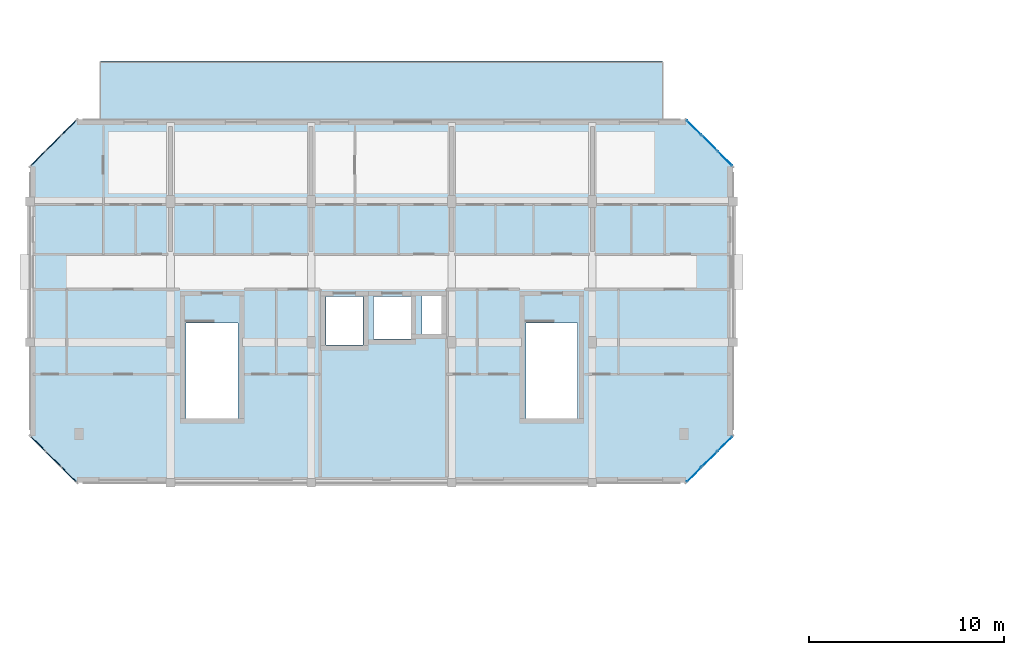
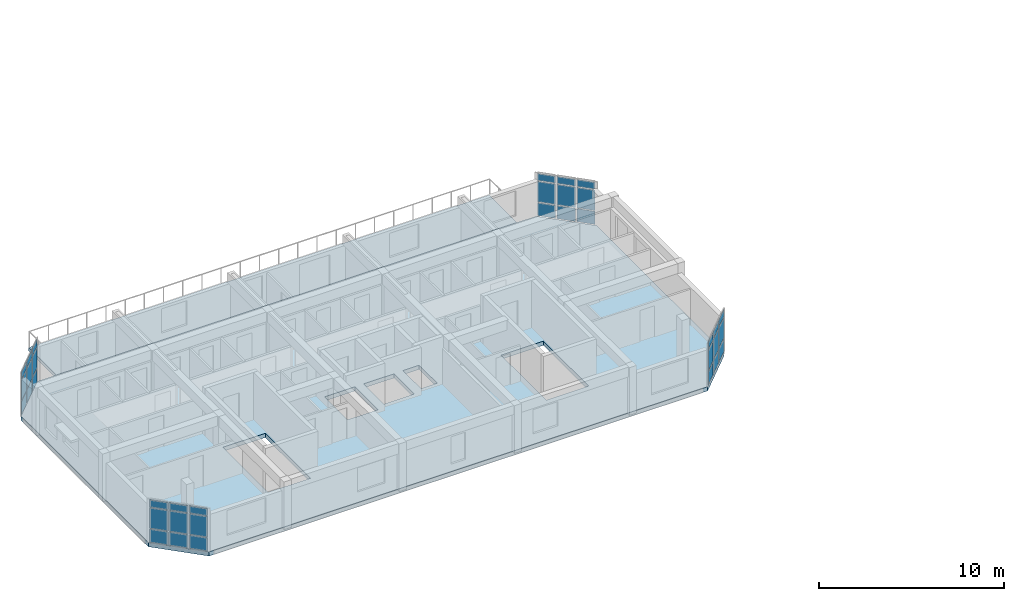
# One storey, part 9 of 30: 36 plates, 2 slabs, 4 elements without a shape of their own.
"""IFC4 building model written with IfcOpenShell, lengths in metres."""

from ifc_helpers import new_model, si_unit, direction, frame, origin, origin_2d, place, context, subcontext, project, spatial, polyline, rectangle, outline, extrude, material, layer, layer_set, type_object, element, aggregate, save


model = new_model("IFC4")

# Units and contexts
model_context = context("Model", 3, precision=1e-05, world=origin(), true_north=direction((0.0, 1.0)))
body_context = subcontext(model_context, "Body", "Model", "MODEL_VIEW")
ifc_project = project(units=[si_unit("LENGTHUNIT", "METRE"), si_unit("AREAUNIT", "SQUARE_METRE"), si_unit("VOLUMEUNIT", "CUBIC_METRE"), si_unit("PLANEANGLEUNIT", "RADIAN"), si_unit("MASSUNIT", "GRAM", prefix="KILO")], contexts=[model_context])

# Site, building, storey
site_placement = place(None, origin())
site = spatial("IfcSite", under=ifc_project, at=site_placement, CompositionType="ELEMENT")
building_placement = place(site_placement, origin())
building = spatial("IfcBuilding", under=site, at=building_placement, Name="Ochrevale Crest", CompositionType="ELEMENT")
storey_placement = place(building_placement, frame((0.0, 0.0, 33.89990234375)))
storey = spatial("IfcBuildingStorey", under=building, at=storey_placement, Name="L10", CompositionType="ELEMENT", Elevation=33.89990234375)

# Curtain wall, plates
ifc_material_1 = material(Name="Anodised aluminium 6063-T5", Category="aluminium")
ifc_layer_1 = layer(ifc_material_1, 0.14990234375)
ifc_layer_set_1 = layer_set([ifc_layer_1], Name="Anodised aluminium 6063-T5")
curtain_wall_type_1 = type_object("IfcCurtainWallType", Name="CW-WG-320x285", PredefinedType="NOTDEFINED", material=ifc_layer_set_1)
curtain_wall_1_placement = place(storey_placement, origin())
curtain_wall_1 = element("IfcCurtainWall", 1, at=curtain_wall_1_placement, inside=storey, type_object=curtain_wall_type_1, Name="Block B L10 chamfered corner wintergarden curtain wall 2", PredefinedType="NOTDEFINED")
ifc_material_2 = material(Name="Double-glazed low-E insulated glass unit", Category="glass")
ifc_layer_2 = layer(ifc_material_2, 0.028076171875)
ifc_layer_set_2 = layer_set([ifc_layer_2], Name="Double-glazed low-E insulated glass unit")
plate_type_1 = type_object("IfcPlateType", Name="CW-PNL-IGU28", PredefinedType="CURTAIN_PANEL", material=ifc_layer_set_2)
plate_1_placement = place(storey_placement, frame((34.01318359375, 72.413330078125, 0.06005859375), z_axis=(0.0, 0.0, 1.0), x_axis=(0.707106781187, 0.707106781187, 0.0)))
plate_1 = element("IfcPlate", 2, at=plate_1_placement, type_object=plate_type_1, Name="CW17 panel 1.1", PredefinedType="CURTAIN_PANEL", context=body_context, shape_type="SweptSolid", body=[
    extrude(rectangle(XDim=1.018798828125, YDim=0.028076171875, at=origin_2d()), origin(), (0.0, 0.0, 1.0), 0.860107421875),
])
plate_2_placement = place(storey_placement, frame((34.01318359375, 72.413330078125, 0.97998046875), z_axis=(0.0, 0.0, 1.0), x_axis=(0.707106781187, 0.707106781187, 0.0)))
plate_2 = element("IfcPlate", 3, at=plate_2_placement, type_object=plate_type_1, Name="CW17 panel 1.2", PredefinedType="CURTAIN_PANEL", context=body_context, shape_type="SweptSolid", body=[
    extrude(rectangle(XDim=1.018798828125, YDim=0.028076171875, at=origin_2d()), origin(), (0.0, 0.0, 1.0), 1.35009765625),
])
plate_3_placement = place(storey_placement, frame((34.01318359375, 72.413330078125, 2.39013671875), z_axis=(0.0, 0.0, 1.0), x_axis=(0.707106781187, 0.707106781187, 0.0)))
plate_3 = element("IfcPlate", 4, at=plate_3_placement, type_object=plate_type_1, Name="CW17 panel 1.3", PredefinedType="CURTAIN_PANEL", context=body_context, shape_type="SweptSolid", body=[
    extrude(rectangle(XDim=1.018798828125, YDim=0.028076171875, at=origin_2d()), origin(), (0.0, 0.0, 1.0), 0.4599609375),
])
plate_4_placement = place(storey_placement, frame((34.800048828125, 73.199951171875, 0.06005859375), z_axis=(0.0, 0.0, 1.0), x_axis=(0.707106781187, 0.707106781187, 0.0)))
plate_4 = element("IfcPlate", 5, at=plate_4_placement, type_object=plate_type_1, Name="CW17 panel 2.1", PredefinedType="CURTAIN_PANEL", context=body_context, shape_type="SweptSolid", body=[
    extrude(rectangle(XDim=1.056396484375, YDim=0.028076171875, at=origin_2d()), origin(), (0.0, 0.0, 1.0), 0.860107421875),
])
plate_5_placement = place(storey_placement, frame((34.800048828125, 73.199951171875, 0.97998046875), z_axis=(0.0, 0.0, 1.0), x_axis=(0.707106781187, 0.707106781187, 0.0)))
plate_5 = element("IfcPlate", 6, at=plate_5_placement, type_object=plate_type_1, Name="CW17 panel 2.2", PredefinedType="CURTAIN_PANEL", context=body_context, shape_type="SweptSolid", body=[
    extrude(rectangle(XDim=1.056396484375, YDim=0.028076171875, at=origin_2d()), origin(), (0.0, 0.0, 1.0), 1.35009765625),
])
plate_6_placement = place(storey_placement, frame((34.800048828125, 73.199951171875, 2.39013671875), z_axis=(0.0, 0.0, 1.0), x_axis=(0.707106781187, 0.707106781187, 0.0)))
plate_6 = element("IfcPlate", 7, at=plate_6_placement, type_object=plate_type_1, Name="CW17 panel 2.3", PredefinedType="CURTAIN_PANEL", context=body_context, shape_type="SweptSolid", body=[
    extrude(rectangle(XDim=1.056396484375, YDim=0.028076171875, at=origin_2d()), origin(), (0.0, 0.0, 1.0), 0.4599609375),
])
plate_7_placement = place(storey_placement, frame((35.586669921875, 73.98681640625, 0.06005859375), z_axis=(0.0, 0.0, 1.0), x_axis=(0.707106781187, 0.707106781187, 0.0)))
plate_7 = element("IfcPlate", 8, at=plate_7_placement, type_object=plate_type_1, Name="CW17 panel 3.1", PredefinedType="CURTAIN_PANEL", context=body_context, shape_type="SweptSolid", body=[
    extrude(rectangle(XDim=1.018798828125, YDim=0.028076171875, at=origin_2d()), origin(), (0.0, 0.0, 1.0), 0.860107421875),
])
plate_8_placement = place(storey_placement, frame((35.586669921875, 73.98681640625, 0.97998046875), z_axis=(0.0, 0.0, 1.0), x_axis=(0.707106781187, 0.707106781187, 0.0)))
plate_8 = element("IfcPlate", 9, at=plate_8_placement, type_object=plate_type_1, Name="CW17 panel 3.2", PredefinedType="CURTAIN_PANEL", context=body_context, shape_type="SweptSolid", body=[
    extrude(rectangle(XDim=1.018798828125, YDim=0.028076171875, at=origin_2d()), origin(), (0.0, 0.0, 1.0), 1.35009765625),
])
plate_9_placement = place(storey_placement, frame((35.586669921875, 73.98681640625, 2.39013671875), z_axis=(0.0, 0.0, 1.0), x_axis=(0.707106781187, 0.707106781187, 0.0)))
plate_9 = element("IfcPlate", 10, at=plate_9_placement, type_object=plate_type_1, Name="CW17 panel 3.3", PredefinedType="CURTAIN_PANEL", context=body_context, shape_type="SweptSolid", body=[
    extrude(rectangle(XDim=1.018798828125, YDim=0.028076171875, at=origin_2d()), origin(), (0.0, 0.0, 1.0), 0.4599609375),
])
aggregate(curtain_wall_1, [plate_1, plate_2, plate_3, plate_4, plate_5, plate_6, plate_7, plate_8, plate_9])

ifc_layer_3 = layer(ifc_material_1, 0.14990234375)
ifc_layer_set_3 = layer_set([ifc_layer_3], Name="Anodised aluminium 6063-T5")
curtain_wall_type_2 = type_object("IfcCurtainWallType", Name="CW-WG-420x285", PredefinedType="NOTDEFINED", material=ifc_layer_set_3)
curtain_wall_2_placement = place(storey_placement, origin())
curtain_wall_2 = element("IfcCurtainWall", 11, at=curtain_wall_2_placement, inside=storey, type_object=curtain_wall_type_2, Name="Block B L10 chamfered corner wintergarden curtain wall 4", PredefinedType="NOTDEFINED")
plate_10_placement = place(storey_placement, frame((35.586669921875, 88.61328125, 0.06005859375), z_axis=(0.0, 0.0, 1.0), x_axis=(-0.707106781187, 0.707106781187, 0.0)))
plate_10 = element("IfcPlate", 12, at=plate_10_placement, type_object=plate_type_1, Name="CW22 panel 1.1", PredefinedType="CURTAIN_PANEL", context=body_context, shape_type="SweptSolid", body=[
    extrude(rectangle(XDim=1.018798828125, YDim=0.028076171875, at=origin_2d()), origin(), (0.0, 0.0, 1.0), 0.860107421875),
])
plate_11_placement = place(storey_placement, frame((35.586669921875, 88.61328125, 0.97998046875), z_axis=(0.0, 0.0, 1.0), x_axis=(-0.707106781187, 0.707106781187, 0.0)))
plate_11 = element("IfcPlate", 13, at=plate_11_placement, type_object=plate_type_1, Name="CW22 panel 1.2", PredefinedType="CURTAIN_PANEL", context=body_context, shape_type="SweptSolid", body=[
    extrude(rectangle(XDim=1.018798828125, YDim=0.028076171875, at=origin_2d()), origin(), (0.0, 0.0, 1.0), 1.35009765625),
])
plate_12_placement = place(storey_placement, frame((35.586669921875, 88.61328125, 2.39013671875), z_axis=(0.0, 0.0, 1.0), x_axis=(-0.707106781187, 0.707106781187, 0.0)))
plate_12 = element("IfcPlate", 14, at=plate_12_placement, type_object=plate_type_1, Name="CW22 panel 1.3", PredefinedType="CURTAIN_PANEL", context=body_context, shape_type="SweptSolid", body=[
    extrude(rectangle(XDim=1.018798828125, YDim=0.028076171875, at=origin_2d()), origin(), (0.0, 0.0, 1.0), 0.4599609375),
])
plate_13_placement = place(storey_placement, frame((34.800048828125, 89.39990234375, 0.06005859375), z_axis=(0.0, 0.0, 1.0), x_axis=(-0.707106781187, 0.707106781187, 0.0)))
plate_13 = element("IfcPlate", 15, at=plate_13_placement, type_object=plate_type_1, Name="CW22 panel 2.1", PredefinedType="CURTAIN_PANEL", context=body_context, shape_type="SweptSolid", body=[
    extrude(rectangle(XDim=1.056396484375, YDim=0.028076171875, at=origin_2d()), origin(), (0.0, 0.0, 1.0), 0.860107421875),
])
plate_14_placement = place(storey_placement, frame((34.800048828125, 89.39990234375, 0.97998046875), z_axis=(0.0, 0.0, 1.0), x_axis=(-0.707106781187, 0.707106781187, 0.0)))
plate_14 = element("IfcPlate", 16, at=plate_14_placement, type_object=plate_type_1, Name="CW22 panel 2.2", PredefinedType="CURTAIN_PANEL", context=body_context, shape_type="SweptSolid", body=[
    extrude(rectangle(XDim=1.056396484375, YDim=0.028076171875, at=origin_2d()), origin(), (0.0, 0.0, 1.0), 1.35009765625),
])
plate_15_placement = place(storey_placement, frame((34.800048828125, 89.39990234375, 2.39013671875), z_axis=(0.0, 0.0, 1.0), x_axis=(-0.707106781187, 0.707106781187, 0.0)))
plate_15 = element("IfcPlate", 17, at=plate_15_placement, type_object=plate_type_1, Name="CW22 panel 2.3", PredefinedType="CURTAIN_PANEL", context=body_context, shape_type="SweptSolid", body=[
    extrude(rectangle(XDim=1.056396484375, YDim=0.028076171875, at=origin_2d()), origin(), (0.0, 0.0, 1.0), 0.4599609375),
])
plate_16_placement = place(storey_placement, frame((34.01318359375, 90.186767578125, 0.06005859375), z_axis=(0.0, 0.0, 1.0), x_axis=(-0.707106781187, 0.707106781187, 0.0)))
plate_16 = element("IfcPlate", 18, at=plate_16_placement, type_object=plate_type_1, Name="CW22 panel 3.1", PredefinedType="CURTAIN_PANEL", context=body_context, shape_type="SweptSolid", body=[
    extrude(rectangle(XDim=1.018798828125, YDim=0.028076171875, at=origin_2d()), origin(), (0.0, 0.0, 1.0), 0.860107421875),
])
plate_17_placement = place(storey_placement, frame((34.01318359375, 90.186767578125, 0.97998046875), z_axis=(0.0, 0.0, 1.0), x_axis=(-0.707106781187, 0.707106781187, 0.0)))
plate_17 = element("IfcPlate", 19, at=plate_17_placement, type_object=plate_type_1, Name="CW22 panel 3.2", PredefinedType="CURTAIN_PANEL", context=body_context, shape_type="SweptSolid", body=[
    extrude(rectangle(XDim=1.018798828125, YDim=0.028076171875, at=origin_2d()), origin(), (0.0, 0.0, 1.0), 1.35009765625),
])
plate_18_placement = place(storey_placement, frame((34.01318359375, 90.186767578125, 2.39013671875), z_axis=(0.0, 0.0, 1.0), x_axis=(-0.707106781187, 0.707106781187, 0.0)))
plate_18 = element("IfcPlate", 20, at=plate_18_placement, type_object=plate_type_1, Name="CW22 panel 3.3", PredefinedType="CURTAIN_PANEL", context=body_context, shape_type="SweptSolid", body=[
    extrude(rectangle(XDim=1.018798828125, YDim=0.028076171875, at=origin_2d()), origin(), (0.0, 0.0, 1.0), 0.4599609375),
])
aggregate(curtain_wall_2, [plate_10, plate_11, plate_12, plate_13, plate_14, plate_15, plate_16, plate_17, plate_18])

ifc_layer_4 = layer(ifc_material_1, 0.14990234375)
ifc_layer_set_4 = layer_set([ifc_layer_4], Name="Anodised aluminium 6063-T5")
curtain_wall_type_3 = type_object("IfcCurtainWallType", Name="CW-WG-280x285", PredefinedType="NOTDEFINED", material=ifc_layer_set_4)
curtain_wall_3_placement = place(storey_placement, origin())
curtain_wall_3 = element("IfcCurtainWall", 21, at=curtain_wall_3_placement, inside=storey, type_object=curtain_wall_type_3, Name="Block B L10 chamfered corner wintergarden curtain wall 6", PredefinedType="NOTDEFINED")
ifc_material_3 = material(Name="Acoustic laminated low-E insulated glass unit", Category="glass")
ifc_layer_5 = layer(ifc_material_3, 0.0380859375)
ifc_layer_set_5 = layer_set([ifc_layer_5], Name="Acoustic laminated low-E insulated glass unit")
plate_type_2 = type_object("IfcPlateType", Name="CW-PNL-IGU38", PredefinedType="CURTAIN_PANEL", material=ifc_layer_set_5)
plate_19_placement = place(storey_placement, frame((1.98681640625, 90.186767578125, 0.06005859375), z_axis=(0.0, 0.0, 1.0), x_axis=(-0.707106781187, -0.707106781187, 0.0)))
plate_19 = element("IfcPlate", 22, at=plate_19_placement, type_object=plate_type_2, Name="CW16 panel 1.1", PredefinedType="CURTAIN_PANEL", context=body_context, shape_type="SweptSolid", body=[
    extrude(rectangle(XDim=1.018798828125, YDim=0.0380859375, at=origin_2d()), origin(), (0.0, 0.0, 1.0), 0.860107421875),
])
plate_20_placement = place(storey_placement, frame((1.98681640625, 90.186767578125, 0.97998046875), z_axis=(0.0, 0.0, 1.0), x_axis=(-0.707106781187, -0.707106781187, 0.0)))
plate_20 = element("IfcPlate", 23, at=plate_20_placement, type_object=plate_type_2, Name="CW16 panel 1.2", PredefinedType="CURTAIN_PANEL", context=body_context, shape_type="SweptSolid", body=[
    extrude(rectangle(XDim=1.018798828125, YDim=0.0380859375, at=origin_2d()), origin(), (0.0, 0.0, 1.0), 1.35009765625),
])
plate_21_placement = place(storey_placement, frame((1.98681640625, 90.186767578125, 2.39013671875), z_axis=(0.0, 0.0, 1.0), x_axis=(-0.707106781187, -0.707106781187, 0.0)))
plate_21 = element("IfcPlate", 24, at=plate_21_placement, type_object=plate_type_2, Name="CW16 panel 1.3", PredefinedType="CURTAIN_PANEL", context=body_context, shape_type="SweptSolid", body=[
    extrude(rectangle(XDim=1.018798828125, YDim=0.0380859375, at=origin_2d()), origin(), (0.0, 0.0, 1.0), 0.4599609375),
])
plate_22_placement = place(storey_placement, frame((1.199951171875, 89.39990234375, 0.06005859375), z_axis=(0.0, 0.0, 1.0), x_axis=(-0.707106781187, -0.707106781187, 0.0)))
plate_22 = element("IfcPlate", 25, at=plate_22_placement, type_object=plate_type_2, Name="CW16 panel 2.1", PredefinedType="CURTAIN_PANEL", context=body_context, shape_type="SweptSolid", body=[
    extrude(rectangle(XDim=1.056396484375, YDim=0.0380859375, at=origin_2d()), origin(), (0.0, 0.0, 1.0), 0.860107421875),
])
plate_23_placement = place(storey_placement, frame((1.199951171875, 89.39990234375, 0.97998046875), z_axis=(0.0, 0.0, 1.0), x_axis=(-0.707106781187, -0.707106781187, 0.0)))
plate_23 = element("IfcPlate", 26, at=plate_23_placement, type_object=plate_type_2, Name="CW16 panel 2.2", PredefinedType="CURTAIN_PANEL", context=body_context, shape_type="SweptSolid", body=[
    extrude(rectangle(XDim=1.056396484375, YDim=0.0380859375, at=origin_2d()), origin(), (0.0, 0.0, 1.0), 1.35009765625),
])
plate_24_placement = place(storey_placement, frame((1.199951171875, 89.39990234375, 2.39013671875), z_axis=(0.0, 0.0, 1.0), x_axis=(-0.707106781187, -0.707106781187, 0.0)))
plate_24 = element("IfcPlate", 27, at=plate_24_placement, type_object=plate_type_2, Name="CW16 panel 2.3", PredefinedType="CURTAIN_PANEL", context=body_context, shape_type="SweptSolid", body=[
    extrude(rectangle(XDim=1.056396484375, YDim=0.0380859375, at=origin_2d()), origin(), (0.0, 0.0, 1.0), 0.4599609375),
])
plate_25_placement = place(storey_placement, frame((0.413330078125, 88.61328125, 0.06005859375), z_axis=(0.0, 0.0, 1.0), x_axis=(-0.707106781187, -0.707106781187, 0.0)))
plate_25 = element("IfcPlate", 28, at=plate_25_placement, type_object=plate_type_2, Name="CW16 panel 3.1", PredefinedType="CURTAIN_PANEL", context=body_context, shape_type="SweptSolid", body=[
    extrude(rectangle(XDim=1.018798828125, YDim=0.0380859375, at=origin_2d()), origin(), (0.0, 0.0, 1.0), 0.860107421875),
])
plate_26_placement = place(storey_placement, frame((0.413330078125, 88.61328125, 0.97998046875), z_axis=(0.0, 0.0, 1.0), x_axis=(-0.707106781187, -0.707106781187, 0.0)))
plate_26 = element("IfcPlate", 29, at=plate_26_placement, type_object=plate_type_2, Name="CW16 panel 3.2", PredefinedType="CURTAIN_PANEL", context=body_context, shape_type="SweptSolid", body=[
    extrude(rectangle(XDim=1.018798828125, YDim=0.0380859375, at=origin_2d()), origin(), (0.0, 0.0, 1.0), 1.35009765625),
])
plate_27_placement = place(storey_placement, frame((0.413330078125, 88.61328125, 2.39013671875), z_axis=(0.0, 0.0, 1.0), x_axis=(-0.707106781187, -0.707106781187, 0.0)))
plate_27 = element("IfcPlate", 30, at=plate_27_placement, type_object=plate_type_2, Name="CW16 panel 3.3", PredefinedType="CURTAIN_PANEL", context=body_context, shape_type="SweptSolid", body=[
    extrude(rectangle(XDim=1.018798828125, YDim=0.0380859375, at=origin_2d()), origin(), (0.0, 0.0, 1.0), 0.4599609375),
])
aggregate(curtain_wall_3, [plate_19, plate_20, plate_21, plate_22, plate_23, plate_24, plate_25, plate_26, plate_27])

ifc_layer_6 = layer(ifc_material_1, 0.14990234375)
ifc_layer_set_6 = layer_set([ifc_layer_6], Name="Anodised aluminium 6063-T5")
curtain_wall_type_4 = type_object("IfcCurtainWallType", Name="CW-WG-360x285", PredefinedType="NOTDEFINED", material=ifc_layer_set_6)
curtain_wall_4_placement = place(storey_placement, origin())
curtain_wall_4 = element("IfcCurtainWall", 31, at=curtain_wall_4_placement, inside=storey, type_object=curtain_wall_type_4, Name="Block B L10 chamfered corner wintergarden curtain wall 8", PredefinedType="NOTDEFINED")
plate_28_placement = place(storey_placement, frame((0.413330078125, 73.98681640625, 0.06005859375), z_axis=(0.0, 0.0, 1.0), x_axis=(0.707106781187, -0.707106781187, 0.0)))
plate_28 = element("IfcPlate", 32, at=plate_28_placement, type_object=plate_type_2, Name="CW18 panel 1.1", PredefinedType="CURTAIN_PANEL", context=body_context, shape_type="SweptSolid", body=[
    extrude(rectangle(XDim=1.018798828125, YDim=0.0380859375, at=origin_2d()), origin(), (0.0, 0.0, 1.0), 0.860107421875),
])
plate_29_placement = place(storey_placement, frame((0.413330078125, 73.98681640625, 0.97998046875), z_axis=(0.0, 0.0, 1.0), x_axis=(0.707106781187, -0.707106781187, 0.0)))
plate_29 = element("IfcPlate", 33, at=plate_29_placement, type_object=plate_type_2, Name="CW18 panel 1.2", PredefinedType="CURTAIN_PANEL", context=body_context, shape_type="SweptSolid", body=[
    extrude(rectangle(XDim=1.018798828125, YDim=0.0380859375, at=origin_2d()), origin(), (0.0, 0.0, 1.0), 1.35009765625),
])
plate_30_placement = place(storey_placement, frame((0.413330078125, 73.98681640625, 2.39013671875), z_axis=(0.0, 0.0, 1.0), x_axis=(0.707106781187, -0.707106781187, 0.0)))
plate_30 = element("IfcPlate", 34, at=plate_30_placement, type_object=plate_type_2, Name="CW18 panel 1.3", PredefinedType="CURTAIN_PANEL", context=body_context, shape_type="SweptSolid", body=[
    extrude(rectangle(XDim=1.018798828125, YDim=0.0380859375, at=origin_2d()), origin(), (0.0, 0.0, 1.0), 0.4599609375),
])
plate_31_placement = place(storey_placement, frame((1.199951171875, 73.199951171875, 0.06005859375), z_axis=(0.0, 0.0, 1.0), x_axis=(0.707106781187, -0.707106781187, 0.0)))
plate_31 = element("IfcPlate", 35, at=plate_31_placement, type_object=plate_type_2, Name="CW18 panel 2.1", PredefinedType="CURTAIN_PANEL", context=body_context, shape_type="SweptSolid", body=[
    extrude(rectangle(XDim=1.056396484375, YDim=0.0380859375, at=origin_2d()), origin(), (0.0, 0.0, 1.0), 0.860107421875),
])
plate_32_placement = place(storey_placement, frame((1.199951171875, 73.199951171875, 0.97998046875), z_axis=(0.0, 0.0, 1.0), x_axis=(0.707106781187, -0.707106781187, 0.0)))
plate_32 = element("IfcPlate", 36, at=plate_32_placement, type_object=plate_type_2, Name="CW18 panel 2.2", PredefinedType="CURTAIN_PANEL", context=body_context, shape_type="SweptSolid", body=[
    extrude(rectangle(XDim=1.056396484375, YDim=0.0380859375, at=origin_2d()), origin(), (0.0, 0.0, 1.0), 1.35009765625),
])
plate_33_placement = place(storey_placement, frame((1.199951171875, 73.199951171875, 2.39013671875), z_axis=(0.0, 0.0, 1.0), x_axis=(0.707106781187, -0.707106781187, 0.0)))
plate_33 = element("IfcPlate", 37, at=plate_33_placement, type_object=plate_type_2, Name="CW18 panel 2.3", PredefinedType="CURTAIN_PANEL", context=body_context, shape_type="SweptSolid", body=[
    extrude(rectangle(XDim=1.056396484375, YDim=0.0380859375, at=origin_2d()), origin(), (0.0, 0.0, 1.0), 0.4599609375),
])
plate_34_placement = place(storey_placement, frame((1.98681640625, 72.413330078125, 0.06005859375), z_axis=(0.0, 0.0, 1.0), x_axis=(0.707106781187, -0.707106781187, 0.0)))
plate_34 = element("IfcPlate", 38, at=plate_34_placement, type_object=plate_type_2, Name="CW18 panel 3.1", PredefinedType="CURTAIN_PANEL", context=body_context, shape_type="SweptSolid", body=[
    extrude(rectangle(XDim=1.018798828125, YDim=0.0380859375, at=origin_2d()), origin(), (0.0, 0.0, 1.0), 0.860107421875),
])
plate_35_placement = place(storey_placement, frame((1.98681640625, 72.413330078125, 0.97998046875), z_axis=(0.0, 0.0, 1.0), x_axis=(0.707106781187, -0.707106781187, 0.0)))
plate_35 = element("IfcPlate", 39, at=plate_35_placement, type_object=plate_type_2, Name="CW18 panel 3.2", PredefinedType="CURTAIN_PANEL", context=body_context, shape_type="SweptSolid", body=[
    extrude(rectangle(XDim=1.018798828125, YDim=0.0380859375, at=origin_2d()), origin(), (0.0, 0.0, 1.0), 1.35009765625),
])
plate_36_placement = place(storey_placement, frame((1.98681640625, 72.413330078125, 2.39013671875), z_axis=(0.0, 0.0, 1.0), x_axis=(0.707106781187, -0.707106781187, 0.0)))
plate_36 = element("IfcPlate", 40, at=plate_36_placement, type_object=plate_type_2, Name="CW18 panel 3.3", PredefinedType="CURTAIN_PANEL", context=body_context, shape_type="SweptSolid", body=[
    extrude(rectangle(XDim=1.018798828125, YDim=0.0380859375, at=origin_2d()), origin(), (0.0, 0.0, 1.0), 0.4599609375),
])
aggregate(curtain_wall_4, [plate_28, plate_29, plate_30, plate_31, plate_32, plate_33, plate_34, plate_35, plate_36])

# Slabs
ifc_material_4 = material(Name="Precast concrete C40/50", Category="concrete")
ifc_layer_7 = layer(ifc_material_4, 0.27490234375)
ifc_layer_set_7 = layer_set([ifc_layer_7], Name="Precast concrete C40/50")
slab_type_1 = type_object("IfcSlabType", Name="SLB-RES-275", PredefinedType="FLOOR", material=ifc_layer_set_7)
slab_1_placement = place(storey_placement, frame((0.0, 0.0, -0.27490234375)))
element("IfcSlab", 41, at=slab_1_placement, inside=storey, type_object=slab_type_1, Name="Block B L10 composite hollowcore floor slab", PredefinedType="FLOOR", context=body_context, shape_type="SweptSolid", body=[
    extrude(outline(polyline([(2.39990234375, 72.0), (33.60009765625, 72.0), (36.0, 74.39990234375), (36.0, 88.199951171875), (33.60009765625, 90.60009765625), (2.39990234375, 90.60009765625), (0.0, 88.199951171875), (0.0, 74.39990234375), (2.39990234375, 72.0)]), holes=[polyline([(8.0, 80.175048828125), (8.0, 75.27490234375), (10.64990234375, 75.27490234375), (10.64990234375, 80.175048828125), (8.0, 80.175048828125)]), polyline([(25.39990234375, 80.175048828125), (25.39990234375, 75.27490234375), (28.050048828125, 75.27490234375), (28.050048828125, 80.175048828125), (25.39990234375, 80.175048828125)]), polyline([(15.14990234375, 79.050048828125), (17.050048828125, 79.050048828125), (17.050048828125, 81.550048828125), (15.14990234375, 81.550048828125), (15.14990234375, 79.050048828125)]), polyline([(17.60009765625, 79.35009765625), (19.5, 79.35009765625), (19.5, 81.550048828125), (17.60009765625, 81.550048828125), (17.60009765625, 79.35009765625)]), polyline([(20.070068359375, 79.6201171875), (21.080078125, 79.6201171875), (21.080078125, 81.580078125), (20.070068359375, 81.580078125), (20.070068359375, 79.6201171875)])]), origin(), (0.0, 0.0, 1.0), 0.27490234375),
])
ifc_material_5 = material(Name="Concrete C40/50", Category="concrete")
ifc_layer_8 = layer(ifc_material_5, 0.22509765625)
ifc_layer_set_8 = layer_set([ifc_layer_8], Name="Concrete C40/50")
slab_type_2 = type_object("IfcSlabType", Name="SLB-TER-225", PredefinedType="FLOOR", material=ifc_layer_set_8)
slab_2_placement = place(storey_placement, frame((0.0, 0.0, -0.224853515625)))
element("IfcSlab", 42, at=slab_2_placement, inside=storey, type_object=slab_type_2, Name="Block B L10 stepped-back roof terrace slab", PredefinedType="FLOOR", context=body_context, shape_type="SweptSolid", body=[
    extrude(outline(polyline([(3.60009765625, 90.60009765625), (32.39990234375, 90.60009765625), (32.39990234375, 93.60009765625), (3.60009765625, 93.60009765625), (3.60009765625, 90.60009765625)])), origin(), (0.0, 0.0, 1.0), 0.224853515625),
])

save(model, "model.ifc")
